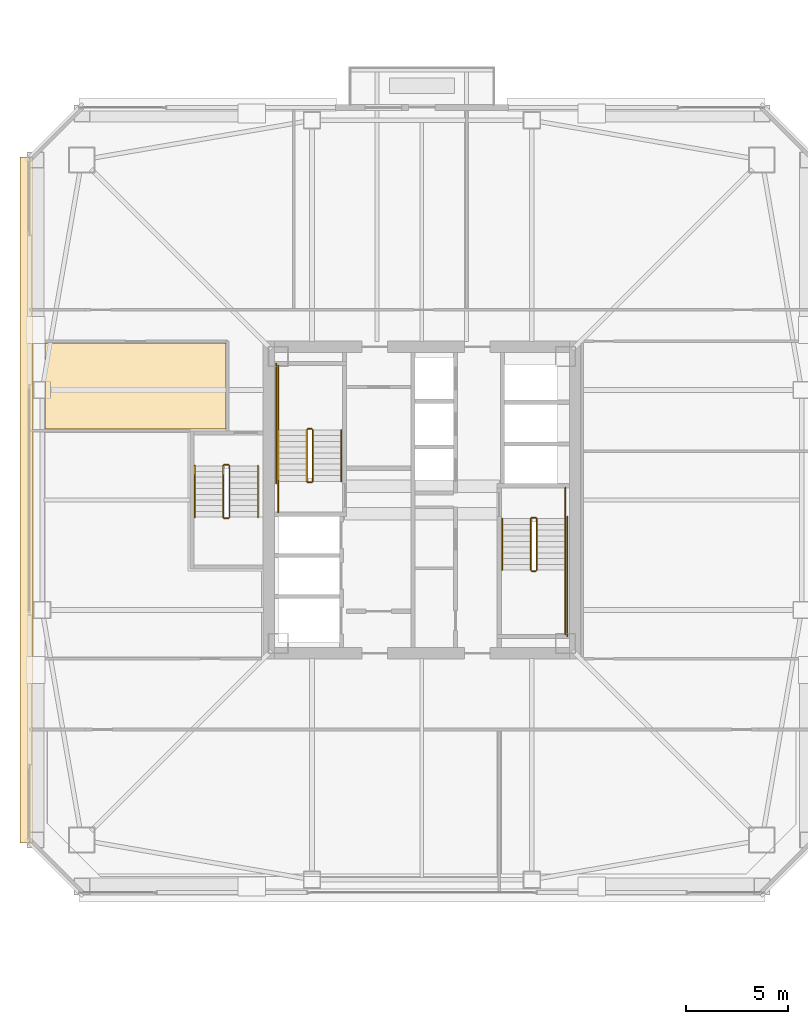
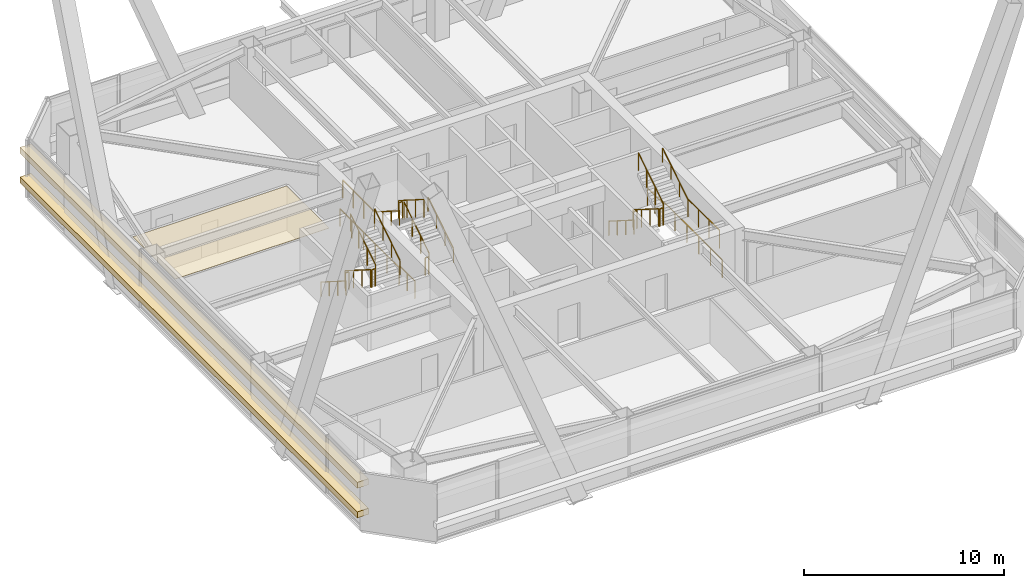
# One storey, part 50 of 54: 24 railings, 3 coverings.
"""IFC4 building model written with IfcOpenShell, lengths in metres."""

from ifc_helpers import new_model, si_unit, direction, frame, origin, origin_2d, place, context, subcontext, project, spatial, polyline, rectangle, outline, extrude, material, layer, layer_set, type_object, element, save


model = new_model("IFC4")

# Units and contexts
model_context = context("Model", 3, precision=1e-05, world=origin(), true_north=direction((0.0, 1.0)))
body_context = subcontext(model_context, "Body", "Model", "MODEL_VIEW")
ifc_project = project(units=[si_unit("LENGTHUNIT", "METRE"), si_unit("AREAUNIT", "SQUARE_METRE"), si_unit("VOLUMEUNIT", "CUBIC_METRE"), si_unit("PLANEANGLEUNIT", "RADIAN"), si_unit("MASSUNIT", "GRAM", prefix="KILO")], contexts=[model_context])

# Site, building, storey
site_placement = place(None, origin())
site = spatial("IfcSite", under=ifc_project, at=site_placement, CompositionType="ELEMENT")
building_placement = place(site_placement, origin())
building = spatial("IfcBuilding", under=site, at=building_placement, Name="Tashvorn Skyway Center", CompositionType="ELEMENT")
storey_placement = place(building_placement, frame((0.0, 0.0, 135.699951171875)))
storey = spatial("IfcBuildingStorey", under=building, at=storey_placement, Name="L36", CompositionType="ELEMENT", Elevation=135.699951171875)

# Coverings
ifc_material_1 = material(Name="Mineral-fibre acoustic ceiling tile on suspended grid")
ifc_layer_1 = layer(ifc_material_1, 0.02001953125)
ifc_layer_set_1 = layer_set([ifc_layer_1], Name="Mineral-fibre acoustic ceiling tile on suspended grid")
covering_type_1 = type_object("IfcCoveringType", Name="COV-CEIL-20", PredefinedType="CEILING", material=ifc_layer_set_1)
covering_placement = place(storey_placement, frame((0.0, 0.0, 2.703125)))
element("IfcCovering", 1, at=covering_placement, inside=storey, type_object=covering_type_1, Name="Tower 1 L36 Reading Lounge Acoustic Ceiling", PredefinedType="CEILING", context=body_context, shape_type="SweptSolid", body=[
    extrude(outline(polyline([(32.3701171875, 39.719970703125), (32.3701171875, 35.47998046875), (23.5, 35.47998046875), (23.5, 39.719970703125), (32.3701171875, 39.719970703125)])), origin(), (0.0, 0.0, 1.0), 0.02001953125),
])
ifc_material_2 = material(Name="Perforated ceramic-coated bronze aluminium solar screen", Category="aluminium")
ifc_layer_2 = layer(ifc_material_2, 0.85009765625)
ifc_layer_set_2 = layer_set([ifc_layer_2], Name="Perforated ceramic-coated bronze aluminium solar screen")
covering_type_2 = type_object("IfcCoveringType", Name="COV-SOLAR-BAND", PredefinedType="CLADDING", material=ifc_layer_set_2)
for number, where, z_axis, x_axis, name in (
    (2, (22.580078125, 32.0, 0.919921875), (0.0, 0.0, 1.0), (0.0, 1.0, 0.0), "L36 Perforated Ceramic-Metal Solar Screen Louvre Band West 1"),
    (3, (22.580078125, 32.0, 2.72021484375), (0.0, 0.0, 1.0), (0.0, 1.0, 0.0), "L36 Perforated Ceramic-Metal Solar Screen Louvre Band West 2"),
):
    element("IfcCovering", number, at=place(storey_placement, frame(where, z_axis=z_axis, x_axis=x_axis)), inside=storey, type_object=covering_type_2, Name=name, PredefinedType="CLADDING", context=body_context, shape_type="SweptSolid", body=[
        extrude(rectangle(XDim=33.679931640625, YDim=0.639892578125, at=origin_2d()), origin(), (0.0, 0.0, 1.0), 0.360107421875),
    ])

# Railings
ifc_material_3 = material(Name="Brushed stainless steel 316", Category="steel")
railing_type_1 = type_object("IfcRailingType", Name="RAIL-HAND-920", PredefinedType="HANDRAIL", material=ifc_material_3)
railing_1_placement = place(storey_placement, frame((38.050048828125, 32.919921875, 0.177490234375)))
element("IfcRailing", 4, at=railing_1_placement, inside=storey, type_object=railing_type_1, Name="L36 ST-T1-1 stair handrail 1", PredefinedType="HANDRAIL", context=body_context, shape_type="SweptSolid", body=[
    extrude(rectangle(XDim=0.048095703125, YDim=0.048095703125, at=origin_2d()), frame((0.0, 0.0, 0.8759765625), z_axis=(0.0, 0.84456994832, 0.535445237532), x_axis=(-1.0, 0.0, 0.0)), (0.0, 0.0, 1.0), 2.98388671875),
    extrude(rectangle(XDim=0.0419921875, YDim=0.0419921875, at=origin_2d()), origin(), (0.0, 0.0, 1.0), 0.851806640625),
    extrude(rectangle(XDim=0.0419921875, YDim=0.0419921875, at=origin_2d()), frame((0.0, 0.840087890625, 0.532470703125)), (0.0, 0.0, 1.0), 0.851806640625),
    extrude(rectangle(XDim=0.0419921875, YDim=0.0419921875, at=origin_2d()), frame((0.0, 1.679931640625, 1.065185546875)), (0.0, 0.0, 1.0), 0.851806640625),
    extrude(rectangle(XDim=0.0419921875, YDim=0.0419921875, at=origin_2d()), frame((0.0, 2.52001953125, 1.59765625)), (0.0, 0.0, 1.0), 0.851806640625),
])
railing_2_placement = place(storey_placement, frame((34.949951171875, 35.43994140625, 1.95263671875)))
element("IfcRailing", 5, at=railing_2_placement, inside=storey, type_object=railing_type_1, Name="L36 ST-T1-1 stair handrail 2", PredefinedType="HANDRAIL", context=body_context, shape_type="SweptSolid", body=[
    extrude(rectangle(XDim=0.048095703125, YDim=0.048095703125, at=origin_2d()), frame((0.0, 0.0, 0.8759765625), z_axis=(0.0, -0.84460694969, 0.535386869969), x_axis=(1.0, 0.0, 0.0)), (0.0, 0.0, 1.0), 2.983642578125),
    extrude(rectangle(XDim=0.0419921875, YDim=0.0419921875, at=origin_2d()), origin(), (0.0, 0.0, 1.0), 0.851806640625),
    extrude(rectangle(XDim=0.0419921875, YDim=0.0419921875, at=origin_2d()), frame((0.0, -0.840087890625, 0.532470703125)), (0.0, 0.0, 1.0), 0.851806640625),
    extrude(rectangle(XDim=0.0419921875, YDim=0.0419921875, at=origin_2d()), frame((0.0, -1.679931640625, 1.06494140625)), (0.0, 0.0, 1.0), 0.851806640625),
    extrude(rectangle(XDim=0.0419921875, YDim=0.0419921875, at=origin_2d()), frame((0.0, -2.52001953125, 1.597412109375)), (0.0, 0.0, 1.0), 0.851806640625),
])
railing_3_placement = place(storey_placement, frame((45.949951171875, 31.080078125, 0.177490234375)))
element("IfcRailing", 6, at=railing_3_placement, inside=storey, type_object=railing_type_1, Name="L36 ST-T1-2 stair handrail 1", PredefinedType="HANDRAIL", context=body_context, shape_type="SweptSolid", body=[
    extrude(rectangle(XDim=0.048095703125, YDim=0.048095703125, at=origin_2d()), frame((0.0, 0.0, 0.8759765625), z_axis=(0.0, -0.84456994832, 0.535445237532), x_axis=(1.0, 0.0, 0.0)), (0.0, 0.0, 1.0), 2.98388671875),
    extrude(rectangle(XDim=0.0419921875, YDim=0.0419921875, at=origin_2d()), origin(), (0.0, 0.0, 1.0), 0.851806640625),
    extrude(rectangle(XDim=0.0419921875, YDim=0.0419921875, at=origin_2d()), frame((0.0, -0.840087890625, 0.532470703125)), (0.0, 0.0, 1.0), 0.851806640625),
    extrude(rectangle(XDim=0.0419921875, YDim=0.0419921875, at=origin_2d()), frame((0.0, -1.679931640625, 1.065185546875)), (0.0, 0.0, 1.0), 0.851806640625),
    extrude(rectangle(XDim=0.0419921875, YDim=0.0419921875, at=origin_2d()), frame((0.0, -2.52001953125, 1.59765625)), (0.0, 0.0, 1.0), 0.851806640625),
])
railing_4_placement = place(storey_placement, frame((49.050048828125, 28.56005859375, 1.95263671875)))
element("IfcRailing", 7, at=railing_4_placement, inside=storey, type_object=railing_type_1, Name="L36 ST-T1-2 stair handrail 2", PredefinedType="HANDRAIL", context=body_context, shape_type="SweptSolid", body=[
    extrude(rectangle(XDim=0.048095703125, YDim=0.048095703125, at=origin_2d()), frame((0.0, 0.0, 0.8759765625), z_axis=(0.0, 0.84460694969, 0.535386869969), x_axis=(-1.0, 0.0, 0.0)), (0.0, 0.0, 1.0), 2.983642578125),
    extrude(rectangle(XDim=0.0419921875, YDim=0.0419921875, at=origin_2d()), origin(), (0.0, 0.0, 1.0), 0.851806640625),
    extrude(rectangle(XDim=0.0419921875, YDim=0.0419921875, at=origin_2d()), frame((0.0, 0.840087890625, 0.532470703125)), (0.0, 0.0, 1.0), 0.851806640625),
    extrude(rectangle(XDim=0.0419921875, YDim=0.0419921875, at=origin_2d()), frame((0.0, 1.679931640625, 1.06494140625)), (0.0, 0.0, 1.0), 0.851806640625),
    extrude(rectangle(XDim=0.0419921875, YDim=0.0419921875, at=origin_2d()), frame((0.0, 2.52001953125, 1.597412109375)), (0.0, 0.0, 1.0), 0.851806640625),
])
railing_5_placement = place(storey_placement, frame((30.85009765625, 33.679931640625, 0.177490234375)))
element("IfcRailing", 8, at=railing_5_placement, inside=storey, type_object=railing_type_1, Name="L36 ST-T1-3 stair handrail 1", PredefinedType="HANDRAIL", context=body_context, shape_type="SweptSolid", body=[
    extrude(rectangle(XDim=0.048095703125, YDim=0.048095703125, at=origin_2d()), frame((0.0, 0.0, 0.8759765625), z_axis=(0.0, -0.84456994832, 0.535445237532), x_axis=(1.0, 0.0, 0.0)), (0.0, 0.0, 1.0), 2.98388671875),
    extrude(rectangle(XDim=0.0419921875, YDim=0.0419921875, at=origin_2d()), origin(), (0.0, 0.0, 1.0), 0.851806640625),
    extrude(rectangle(XDim=0.0419921875, YDim=0.0419921875, at=origin_2d()), frame((0.0, -0.840087890625, 0.532470703125)), (0.0, 0.0, 1.0), 0.851806640625),
    extrude(rectangle(XDim=0.0419921875, YDim=0.0419921875, at=origin_2d()), frame((0.0, -1.679931640625, 1.065185546875)), (0.0, 0.0, 1.0), 0.851806640625),
    extrude(rectangle(XDim=0.0419921875, YDim=0.0419921875, at=origin_2d()), frame((0.0, -2.52001953125, 1.59765625)), (0.0, 0.0, 1.0), 0.851806640625),
])
railing_6_placement = place(storey_placement, frame((33.949951171875, 31.159912109375, 1.95263671875)))
element("IfcRailing", 9, at=railing_6_placement, inside=storey, type_object=railing_type_1, Name="L36 ST-T1-3 stair handrail 2", PredefinedType="HANDRAIL", context=body_context, shape_type="SweptSolid", body=[
    extrude(rectangle(XDim=0.048095703125, YDim=0.048095703125, at=origin_2d()), frame((0.0, 0.0, 0.8759765625), z_axis=(0.0, 0.84460694969, 0.535386869969), x_axis=(-1.0, 0.0, 0.0)), (0.0, 0.0, 1.0), 2.983642578125),
    extrude(rectangle(XDim=0.0419921875, YDim=0.0419921875, at=origin_2d()), origin(), (0.0, 0.0, 1.0), 0.851806640625),
    extrude(rectangle(XDim=0.0419921875, YDim=0.0419921875, at=origin_2d()), frame((0.0, 0.840087890625, 0.532470703125)), (0.0, 0.0, 1.0), 0.851806640625),
    extrude(rectangle(XDim=0.0419921875, YDim=0.0419921875, at=origin_2d()), frame((0.0, 1.679931640625, 1.06494140625)), (0.0, 0.0, 1.0), 0.851806640625),
    extrude(rectangle(XDim=0.0419921875, YDim=0.0419921875, at=origin_2d()), frame((0.0, 2.52001953125, 1.597412109375)), (0.0, 0.0, 1.0), 0.851806640625),
])
ifc_material_4 = material(Name="Painted galvanized steel S355", Category="steel")
railing_type_2 = type_object("IfcRailingType", Name="RAIL-STGUARD-1100", PredefinedType="GUARDRAIL", material=ifc_material_4)
railing_7_placement = place(storey_placement, frame((36.64990234375, 32.919921875, 0.177490234375)))
element("IfcRailing", 10, at=railing_7_placement, inside=storey, type_object=railing_type_2, Name="L36 ST-T1-1 stair guard 1", PredefinedType="GUARDRAIL", context=body_context, shape_type="SweptSolid", body=[
    extrude(rectangle(XDim=0.048095703125, YDim=0.048095703125, at=origin_2d()), frame((0.0, 0.0, 1.076171875), z_axis=(0.0, 0.84456994832, 0.535445237532), x_axis=(-1.0, 0.0, 0.0)), (0.0, 0.0, 1.0), 2.98388671875),
    extrude(rectangle(XDim=0.0419921875, YDim=0.0419921875, at=origin_2d()), origin(), (0.0, 0.0, 1.0), 1.052001953125),
    extrude(rectangle(XDim=0.0419921875, YDim=0.0419921875, at=origin_2d()), frame((0.0, 0.840087890625, 0.532470703125)), (0.0, 0.0, 1.0), 1.052001953125),
    extrude(rectangle(XDim=0.0419921875, YDim=0.0419921875, at=origin_2d()), frame((0.0, 1.679931640625, 1.065185546875)), (0.0, 0.0, 1.0), 1.052001953125),
    extrude(rectangle(XDim=0.0419921875, YDim=0.0419921875, at=origin_2d()), frame((0.0, 2.52001953125, 1.59765625)), (0.0, 0.0, 1.0), 1.052001953125),
])
railing_8_placement = place(storey_placement, frame((36.60009765625, 35.489990234375, 1.775146484375)))
element("IfcRailing", 11, at=railing_8_placement, inside=storey, type_object=railing_type_2, Name="L36 ST-T1-1 stair guard 2", PredefinedType="GUARDRAIL", context=body_context, shape_type="SweptSolid", body=[
    extrude(rectangle(XDim=0.048095703125, YDim=0.048095703125, at=origin_2d()), frame((0.0, 0.0, 1.076171875), z_axis=(-1.0, 0.0, 0.0), x_axis=(0.0, -1.0, 0.0)), (0.0, 0.0, 1.0), 0.2001953125),
    extrude(rectangle(XDim=0.0419921875, YDim=0.0419921875, at=origin_2d()), origin(), (0.0, 0.0, 1.0), 1.052001953125),
    extrude(rectangle(XDim=0.0419921875, YDim=0.0419921875, at=origin_2d()), frame((-0.2001953125, 0.0, 0.0)), (0.0, 0.0, 1.0), 1.052001953125),
])
railing_9_placement = place(storey_placement, frame((34.949951171875, 35.43994140625, 1.775146484375)))
element("IfcRailing", 12, at=railing_9_placement, inside=storey, type_object=railing_type_2, Name="L36 ST-T1-1 stair guard 3", PredefinedType="GUARDRAIL", context=body_context, shape_type="SweptSolid", body=[
    extrude(rectangle(XDim=0.048095703125, YDim=0.048095703125, at=origin_2d()), frame((0.0, 0.0, 1.076171875), z_axis=(0.0, 1.0, 0.0), x_axis=(-1.0, 0.0, 0.0)), (0.0, 0.0, 1.0), 3.16015625),
    extrude(rectangle(XDim=0.0419921875, YDim=0.0419921875, at=origin_2d()), origin(), (0.0, 0.0, 1.0), 1.052001953125),
    extrude(rectangle(XDim=0.0419921875, YDim=0.0419921875, at=origin_2d()), frame((0.0, 1.053466796875, 0.0)), (0.0, 0.0, 1.0), 1.052001953125),
    extrude(rectangle(XDim=0.0419921875, YDim=0.0419921875, at=origin_2d()), frame((0.0, 2.106689453125, 0.0)), (0.0, 0.0, 1.0), 1.052001953125),
    extrude(rectangle(XDim=0.0419921875, YDim=0.0419921875, at=origin_2d()), frame((0.0, 3.16015625, 0.0)), (0.0, 0.0, 1.0), 1.052001953125),
])
railing_10_placement = place(storey_placement, frame((36.35009765625, 35.43994140625, 1.95263671875)))
element("IfcRailing", 13, at=railing_10_placement, inside=storey, type_object=railing_type_2, Name="L36 ST-T1-1 stair guard 4", PredefinedType="GUARDRAIL", context=body_context, shape_type="SweptSolid", body=[
    extrude(rectangle(XDim=0.048095703125, YDim=0.048095703125, at=origin_2d()), frame((0.0, 0.0, 1.076171875), z_axis=(0.0, -0.84460694969, 0.535386869969), x_axis=(1.0, 0.0, 0.0)), (0.0, 0.0, 1.0), 2.983642578125),
    extrude(rectangle(XDim=0.0419921875, YDim=0.0419921875, at=origin_2d()), origin(), (0.0, 0.0, 1.0), 1.052001953125),
    extrude(rectangle(XDim=0.0419921875, YDim=0.0419921875, at=origin_2d()), frame((0.0, -0.840087890625, 0.532470703125)), (0.0, 0.0, 1.0), 1.052001953125),
    extrude(rectangle(XDim=0.0419921875, YDim=0.0419921875, at=origin_2d()), frame((0.0, -1.679931640625, 1.06494140625)), (0.0, 0.0, 1.0), 1.052001953125),
    extrude(rectangle(XDim=0.0419921875, YDim=0.0419921875, at=origin_2d()), frame((0.0, -2.52001953125, 1.597412109375)), (0.0, 0.0, 1.0), 1.052001953125),
])
railing_11_placement = place(storey_placement, frame((36.60009765625, 32.8701171875, 0.0)))
element("IfcRailing", 14, at=railing_11_placement, inside=storey, type_object=railing_type_2, Name="L36 ST-T1-1 stair guard 5", PredefinedType="GUARDRAIL", context=body_context, shape_type="SweptSolid", body=[
    extrude(rectangle(XDim=0.048095703125, YDim=0.048095703125, at=origin_2d()), frame((0.0, 0.0, 1.076171875), z_axis=(-1.0, 0.0, 0.0), x_axis=(0.0, -1.0, 0.0)), (0.0, 0.0, 1.0), 0.2001953125),
    extrude(rectangle(XDim=0.0419921875, YDim=0.0419921875, at=origin_2d()), origin(), (0.0, 0.0, 1.0), 1.052001953125),
    extrude(rectangle(XDim=0.0419921875, YDim=0.0419921875, at=origin_2d()), frame((-0.2001953125, 0.0, 0.0)), (0.0, 0.0, 1.0), 1.052001953125),
])
railing_12_placement = place(storey_placement, frame((34.949951171875, 31.39990234375, 0.0)))
element("IfcRailing", 15, at=railing_12_placement, inside=storey, type_object=railing_type_2, Name="L36 ST-T1-1 stair guard 6", PredefinedType="GUARDRAIL", context=body_context, shape_type="SweptSolid", body=[
    extrude(rectangle(XDim=0.048095703125, YDim=0.048095703125, at=origin_2d()), frame((0.0, 0.0, 1.076171875), z_axis=(0.0, 1.0, 0.0), x_axis=(-1.0, 0.0, 0.0)), (0.0, 0.0, 1.0), 1.52001953125),
    extrude(rectangle(XDim=0.0419921875, YDim=0.0419921875, at=origin_2d()), origin(), (0.0, 0.0, 1.0), 1.052001953125),
    extrude(rectangle(XDim=0.0419921875, YDim=0.0419921875, at=origin_2d()), frame((0.0, 0.760009765625, 0.0)), (0.0, 0.0, 1.0), 1.052001953125),
    extrude(rectangle(XDim=0.0419921875, YDim=0.0419921875, at=origin_2d()), frame((0.0, 1.52001953125, 0.0)), (0.0, 0.0, 1.0), 1.052001953125),
])
railing_13_placement = place(storey_placement, frame((34.85009765625, 32.820068359375, 0.0)))
element("IfcRailing", 16, at=railing_13_placement, inside=storey, type_object=railing_type_2, Name="L36 ST-T1-1 stair guard 7", PredefinedType="GUARDRAIL", context=body_context, shape_type="SweptSolid", body=[
    extrude(rectangle(XDim=0.048095703125, YDim=0.048095703125, at=origin_2d()), frame((0.0, 0.0, 1.076171875), z_axis=(0.0, 1.0, 0.0), x_axis=(-1.0, 0.0, 0.0)), (0.0, 0.0, 1.0), 5.8798828125),
    extrude(rectangle(XDim=0.0419921875, YDim=0.0419921875, at=origin_2d()), origin(), (0.0, 0.0, 1.0), 1.052001953125),
    extrude(rectangle(XDim=0.0419921875, YDim=0.0419921875, at=origin_2d()), frame((0.0, 1.176025390625, 0.0)), (0.0, 0.0, 1.0), 1.052001953125),
    extrude(rectangle(XDim=0.0419921875, YDim=0.0419921875, at=origin_2d()), frame((0.0, 2.35205078125, 0.0)), (0.0, 0.0, 1.0), 1.052001953125),
    extrude(rectangle(XDim=0.0419921875, YDim=0.0419921875, at=origin_2d()), frame((0.0, 3.52783203125, 0.0)), (0.0, 0.0, 1.0), 1.052001953125),
    extrude(rectangle(XDim=0.0419921875, YDim=0.0419921875, at=origin_2d()), frame((0.0, 4.703857421875, 0.0)), (0.0, 0.0, 1.0), 1.052001953125),
    extrude(rectangle(XDim=0.0419921875, YDim=0.0419921875, at=origin_2d()), frame((0.0, 5.8798828125, 0.0)), (0.0, 0.0, 1.0), 1.052001953125),
])
railing_14_placement = place(storey_placement, frame((47.35009765625, 31.080078125, 0.177490234375)))
element("IfcRailing", 17, at=railing_14_placement, inside=storey, type_object=railing_type_2, Name="L36 ST-T1-2 stair guard 1", PredefinedType="GUARDRAIL", context=body_context, shape_type="SweptSolid", body=[
    extrude(rectangle(XDim=0.048095703125, YDim=0.048095703125, at=origin_2d()), frame((0.0, 0.0, 1.076171875), z_axis=(0.0, -0.84456994832, 0.535445237532), x_axis=(1.0, 0.0, 0.0)), (0.0, 0.0, 1.0), 2.98388671875),
    extrude(rectangle(XDim=0.0419921875, YDim=0.0419921875, at=origin_2d()), origin(), (0.0, 0.0, 1.0), 1.052001953125),
    extrude(rectangle(XDim=0.0419921875, YDim=0.0419921875, at=origin_2d()), frame((0.0, -0.840087890625, 0.532470703125)), (0.0, 0.0, 1.0), 1.052001953125),
    extrude(rectangle(XDim=0.0419921875, YDim=0.0419921875, at=origin_2d()), frame((0.0, -1.679931640625, 1.065185546875)), (0.0, 0.0, 1.0), 1.052001953125),
    extrude(rectangle(XDim=0.0419921875, YDim=0.0419921875, at=origin_2d()), frame((0.0, -2.52001953125, 1.59765625)), (0.0, 0.0, 1.0), 1.052001953125),
])
railing_15_placement = place(storey_placement, frame((47.39990234375, 28.510009765625, 1.775146484375)))
element("IfcRailing", 18, at=railing_15_placement, inside=storey, type_object=railing_type_2, Name="L36 ST-T1-2 stair guard 2", PredefinedType="GUARDRAIL", context=body_context, shape_type="SweptSolid", body=[
    extrude(rectangle(XDim=0.048095703125, YDim=0.048095703125, at=origin_2d()), frame((0.0, 0.0, 1.076171875), z_axis=(1.0, 0.0, 0.0), x_axis=(0.0, 1.0, 0.0)), (0.0, 0.0, 1.0), 0.2001953125),
    extrude(rectangle(XDim=0.0419921875, YDim=0.0419921875, at=origin_2d()), origin(), (0.0, 0.0, 1.0), 1.052001953125),
    extrude(rectangle(XDim=0.0419921875, YDim=0.0419921875, at=origin_2d()), frame((0.2001953125, 0.0, 0.0)), (0.0, 0.0, 1.0), 1.052001953125),
])
railing_16_placement = place(storey_placement, frame((49.050048828125, 28.56005859375, 1.775146484375)))
element("IfcRailing", 19, at=railing_16_placement, inside=storey, type_object=railing_type_2, Name="L36 ST-T1-2 stair guard 3", PredefinedType="GUARDRAIL", context=body_context, shape_type="SweptSolid", body=[
    extrude(rectangle(XDim=0.048095703125, YDim=0.048095703125, at=origin_2d()), frame((0.0, 0.0, 1.076171875), z_axis=(0.0, -1.0, 0.0), x_axis=(1.0, 0.0, 0.0)), (0.0, 0.0, 1.0), 3.16015625),
    extrude(rectangle(XDim=0.0419921875, YDim=0.0419921875, at=origin_2d()), origin(), (0.0, 0.0, 1.0), 1.052001953125),
    extrude(rectangle(XDim=0.0419921875, YDim=0.0419921875, at=origin_2d()), frame((0.0, -1.053466796875, 0.0)), (0.0, 0.0, 1.0), 1.052001953125),
    extrude(rectangle(XDim=0.0419921875, YDim=0.0419921875, at=origin_2d()), frame((0.0, -2.106689453125, 0.0)), (0.0, 0.0, 1.0), 1.052001953125),
    extrude(rectangle(XDim=0.0419921875, YDim=0.0419921875, at=origin_2d()), frame((0.0, -3.16015625, 0.0)), (0.0, 0.0, 1.0), 1.052001953125),
])
railing_17_placement = place(storey_placement, frame((47.64990234375, 28.56005859375, 1.95263671875)))
element("IfcRailing", 20, at=railing_17_placement, inside=storey, type_object=railing_type_2, Name="L36 ST-T1-2 stair guard 4", PredefinedType="GUARDRAIL", context=body_context, shape_type="SweptSolid", body=[
    extrude(rectangle(XDim=0.048095703125, YDim=0.048095703125, at=origin_2d()), frame((0.0, 0.0, 1.076171875), z_axis=(0.0, 0.84460694969, 0.535386869969), x_axis=(-1.0, 0.0, 0.0)), (0.0, 0.0, 1.0), 2.983642578125),
    extrude(rectangle(XDim=0.0419921875, YDim=0.0419921875, at=origin_2d()), origin(), (0.0, 0.0, 1.0), 1.052001953125),
    extrude(rectangle(XDim=0.0419921875, YDim=0.0419921875, at=origin_2d()), frame((0.0, 0.840087890625, 0.532470703125)), (0.0, 0.0, 1.0), 1.052001953125),
    extrude(rectangle(XDim=0.0419921875, YDim=0.0419921875, at=origin_2d()), frame((0.0, 1.679931640625, 1.06494140625)), (0.0, 0.0, 1.0), 1.052001953125),
    extrude(rectangle(XDim=0.0419921875, YDim=0.0419921875, at=origin_2d()), frame((0.0, 2.52001953125, 1.597412109375)), (0.0, 0.0, 1.0), 1.052001953125),
])
railing_18_placement = place(storey_placement, frame((47.39990234375, 31.1298828125, 0.0)))
element("IfcRailing", 21, at=railing_18_placement, inside=storey, type_object=railing_type_2, Name="L36 ST-T1-2 stair guard 5", PredefinedType="GUARDRAIL", context=body_context, shape_type="SweptSolid", body=[
    extrude(rectangle(XDim=0.048095703125, YDim=0.048095703125, at=origin_2d()), frame((0.0, 0.0, 1.076171875), z_axis=(1.0, 0.0, 0.0), x_axis=(0.0, 1.0, 0.0)), (0.0, 0.0, 1.0), 0.2001953125),
    extrude(rectangle(XDim=0.0419921875, YDim=0.0419921875, at=origin_2d()), origin(), (0.0, 0.0, 1.0), 1.052001953125),
    extrude(rectangle(XDim=0.0419921875, YDim=0.0419921875, at=origin_2d()), frame((0.2001953125, 0.0, 0.0)), (0.0, 0.0, 1.0), 1.052001953125),
])
railing_19_placement = place(storey_placement, frame((49.050048828125, 32.60009765625, 0.0)))
element("IfcRailing", 22, at=railing_19_placement, inside=storey, type_object=railing_type_2, Name="L36 ST-T1-2 stair guard 6", PredefinedType="GUARDRAIL", context=body_context, shape_type="SweptSolid", body=[
    extrude(rectangle(XDim=0.048095703125, YDim=0.048095703125, at=origin_2d()), frame((0.0, 0.0, 1.076171875), z_axis=(0.0, -1.0, 0.0), x_axis=(1.0, 0.0, 0.0)), (0.0, 0.0, 1.0), 1.52001953125),
    extrude(rectangle(XDim=0.0419921875, YDim=0.0419921875, at=origin_2d()), origin(), (0.0, 0.0, 1.0), 1.052001953125),
    extrude(rectangle(XDim=0.0419921875, YDim=0.0419921875, at=origin_2d()), frame((0.0, -0.760009765625, 0.0)), (0.0, 0.0, 1.0), 1.052001953125),
    extrude(rectangle(XDim=0.0419921875, YDim=0.0419921875, at=origin_2d()), frame((0.0, -1.52001953125, 0.0)), (0.0, 0.0, 1.0), 1.052001953125),
])
railing_20_placement = place(storey_placement, frame((49.14990234375, 31.179931640625, 0.0)))
element("IfcRailing", 23, at=railing_20_placement, inside=storey, type_object=railing_type_2, Name="L36 ST-T1-2 stair guard 7", PredefinedType="GUARDRAIL", context=body_context, shape_type="SweptSolid", body=[
    extrude(rectangle(XDim=0.048095703125, YDim=0.048095703125, at=origin_2d()), frame((0.0, 0.0, 1.076171875), z_axis=(0.0, -1.0, 0.0), x_axis=(1.0, 0.0, 0.0)), (0.0, 0.0, 1.0), 5.8798828125),
    extrude(rectangle(XDim=0.0419921875, YDim=0.0419921875, at=origin_2d()), origin(), (0.0, 0.0, 1.0), 1.052001953125),
    extrude(rectangle(XDim=0.0419921875, YDim=0.0419921875, at=origin_2d()), frame((0.0, -1.176025390625, 0.0)), (0.0, 0.0, 1.0), 1.052001953125),
    extrude(rectangle(XDim=0.0419921875, YDim=0.0419921875, at=origin_2d()), frame((0.0, -2.35205078125, 0.0)), (0.0, 0.0, 1.0), 1.052001953125),
    extrude(rectangle(XDim=0.0419921875, YDim=0.0419921875, at=origin_2d()), frame((0.0, -3.52783203125, 0.0)), (0.0, 0.0, 1.0), 1.052001953125),
    extrude(rectangle(XDim=0.0419921875, YDim=0.0419921875, at=origin_2d()), frame((0.0, -4.703857421875, 0.0)), (0.0, 0.0, 1.0), 1.052001953125),
    extrude(rectangle(XDim=0.0419921875, YDim=0.0419921875, at=origin_2d()), frame((0.0, -5.8798828125, 0.0)), (0.0, 0.0, 1.0), 1.052001953125),
])
railing_21_placement = place(storey_placement, frame((32.25, 33.679931640625, 0.177490234375)))
element("IfcRailing", 24, at=railing_21_placement, inside=storey, type_object=railing_type_2, Name="L36 ST-T1-3 stair guard 1", PredefinedType="GUARDRAIL", context=body_context, shape_type="SweptSolid", body=[
    extrude(rectangle(XDim=0.048095703125, YDim=0.048095703125, at=origin_2d()), frame((0.0, 0.0, 1.076171875), z_axis=(0.0, -0.84456994832, 0.535445237532), x_axis=(1.0, 0.0, 0.0)), (0.0, 0.0, 1.0), 2.98388671875),
    extrude(rectangle(XDim=0.0419921875, YDim=0.0419921875, at=origin_2d()), origin(), (0.0, 0.0, 1.0), 1.052001953125),
    extrude(rectangle(XDim=0.0419921875, YDim=0.0419921875, at=origin_2d()), frame((0.0, -0.840087890625, 0.532470703125)), (0.0, 0.0, 1.0), 1.052001953125),
    extrude(rectangle(XDim=0.0419921875, YDim=0.0419921875, at=origin_2d()), frame((0.0, -1.679931640625, 1.065185546875)), (0.0, 0.0, 1.0), 1.052001953125),
    extrude(rectangle(XDim=0.0419921875, YDim=0.0419921875, at=origin_2d()), frame((0.0, -2.52001953125, 1.59765625)), (0.0, 0.0, 1.0), 1.052001953125),
])
railing_22_placement = place(storey_placement, frame((32.300048828125, 31.110107421875, 1.775146484375)))
element("IfcRailing", 25, at=railing_22_placement, inside=storey, type_object=railing_type_2, Name="L36 ST-T1-3 stair guard 2", PredefinedType="GUARDRAIL", context=body_context, shape_type="SweptSolid", body=[
    extrude(rectangle(XDim=0.048095703125, YDim=0.048095703125, at=origin_2d()), frame((0.0, 0.0, 1.076171875), z_axis=(1.0, 0.0, 0.0), x_axis=(0.0, 1.0, 0.0)), (0.0, 0.0, 1.0), 0.199951171875),
    extrude(rectangle(XDim=0.0419921875, YDim=0.0419921875, at=origin_2d()), origin(), (0.0, 0.0, 1.0), 1.052001953125),
    extrude(rectangle(XDim=0.0419921875, YDim=0.0419921875, at=origin_2d()), frame((0.199951171875, 0.0, 0.0)), (0.0, 0.0, 1.0), 1.052001953125),
])
railing_23_placement = place(storey_placement, frame((32.550048828125, 31.159912109375, 1.95263671875)))
element("IfcRailing", 26, at=railing_23_placement, inside=storey, type_object=railing_type_2, Name="L36 ST-T1-3 stair guard 3", PredefinedType="GUARDRAIL", context=body_context, shape_type="SweptSolid", body=[
    extrude(rectangle(XDim=0.048095703125, YDim=0.048095703125, at=origin_2d()), frame((0.0, 0.0, 1.076171875), z_axis=(0.0, 0.84460694969, 0.535386869969), x_axis=(-1.0, 0.0, 0.0)), (0.0, 0.0, 1.0), 2.983642578125),
    extrude(rectangle(XDim=0.0419921875, YDim=0.0419921875, at=origin_2d()), origin(), (0.0, 0.0, 1.0), 1.052001953125),
    extrude(rectangle(XDim=0.0419921875, YDim=0.0419921875, at=origin_2d()), frame((0.0, 0.840087890625, 0.532470703125)), (0.0, 0.0, 1.0), 1.052001953125),
    extrude(rectangle(XDim=0.0419921875, YDim=0.0419921875, at=origin_2d()), frame((0.0, 1.679931640625, 1.06494140625)), (0.0, 0.0, 1.0), 1.052001953125),
    extrude(rectangle(XDim=0.0419921875, YDim=0.0419921875, at=origin_2d()), frame((0.0, 2.52001953125, 1.597412109375)), (0.0, 0.0, 1.0), 1.052001953125),
])
railing_24_placement = place(storey_placement, frame((32.300048828125, 33.72998046875, 0.0)))
element("IfcRailing", 27, at=railing_24_placement, inside=storey, type_object=railing_type_2, Name="L36 ST-T1-3 stair guard 4", PredefinedType="GUARDRAIL", context=body_context, shape_type="SweptSolid", body=[
    extrude(rectangle(XDim=0.048095703125, YDim=0.048095703125, at=origin_2d()), frame((0.0, 0.0, 1.076171875), z_axis=(1.0, 0.0, 0.0), x_axis=(0.0, 1.0, 0.0)), (0.0, 0.0, 1.0), 0.199951171875),
    extrude(rectangle(XDim=0.0419921875, YDim=0.0419921875, at=origin_2d()), origin(), (0.0, 0.0, 1.0), 1.052001953125),
    extrude(rectangle(XDim=0.0419921875, YDim=0.0419921875, at=origin_2d()), frame((0.199951171875, 0.0, 0.0)), (0.0, 0.0, 1.0), 1.052001953125),
])

save(model, "model.ifc")
